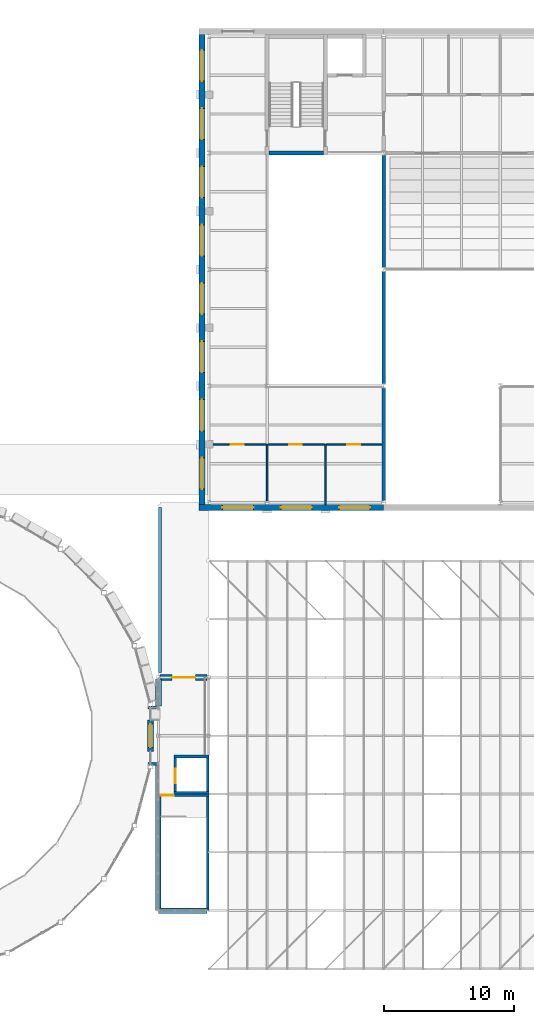
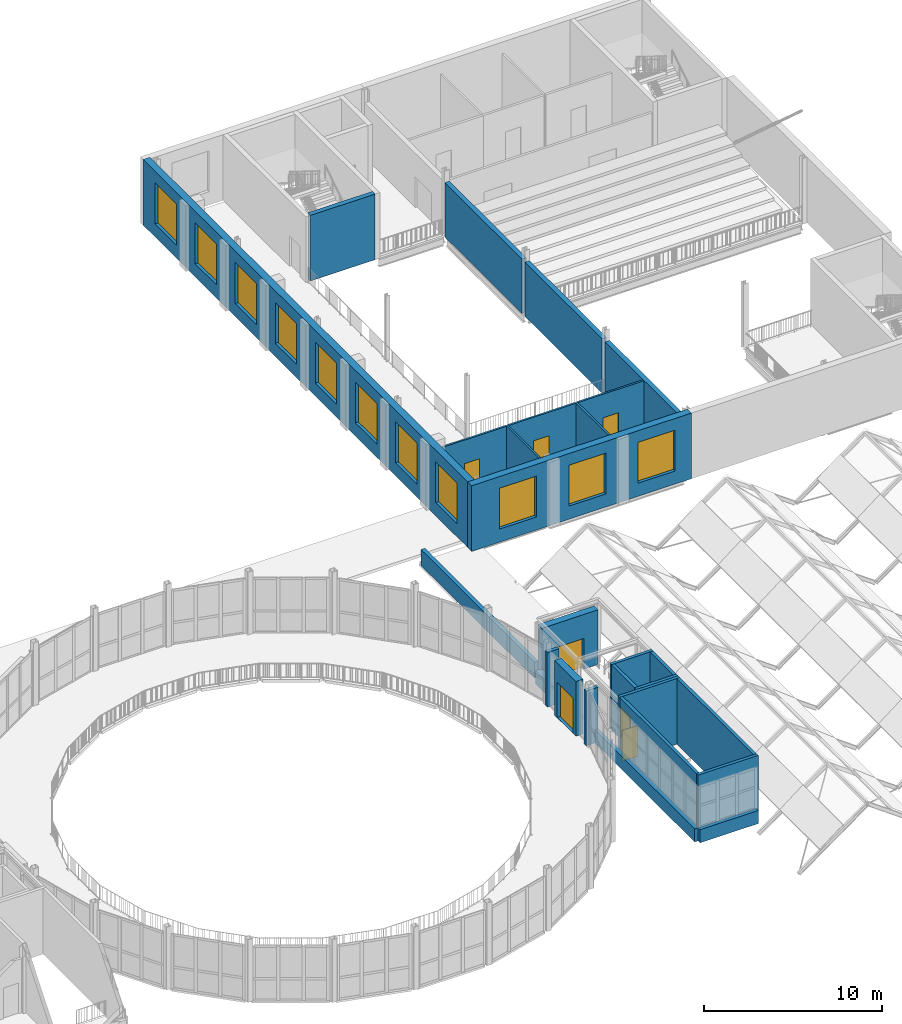
# One storey, part 44 of 74: 27 walls, 11 windows, 7 doors, 18 openings.
"""IFC4 building model written with IfcOpenShell, lengths in metres."""

from ifc_helpers import new_model, si_unit, direction, frame, frame_2d, origin, place, context, subcontext, project, spatial, rectangle, extrude, material, layer, layer_set, type_object, element, fill, save


model = new_model("IFC4")

# Units and contexts
model_context = context("Model", 3, precision=1e-05, world=origin(), true_north=direction((0.0, 1.0)))
body_context = subcontext(model_context, "Body", "Model", "MODEL_VIEW")
ifc_project = project(units=[si_unit("LENGTHUNIT", "METRE"), si_unit("AREAUNIT", "SQUARE_METRE"), si_unit("VOLUMEUNIT", "CUBIC_METRE"), si_unit("PLANEANGLEUNIT", "RADIAN"), si_unit("MASSUNIT", "GRAM", prefix="KILO")], contexts=[model_context])

# Site, building, storey
site_placement = place(None, origin())
site = spatial("IfcSite", under=ifc_project, at=site_placement, CompositionType="ELEMENT")
building_placement = place(site_placement, origin())
building = spatial("IfcBuilding", under=site, at=building_placement, Name="Hortulan Conservatory and Botanical Research Centre", CompositionType="ELEMENT")
storey_placement = place(building_placement, frame((0.0, 0.0, 6.0)))
storey = spatial("IfcBuildingStorey", under=building, at=storey_placement, Name="L01", CompositionType="ELEMENT", Elevation=6.0)

# Walls
ifc_material_1 = material(Name="Brick masonry with acoustic lining", Category="masonry")
ifc_layer_1 = layer(ifc_material_1, 0.300048828125)
ifc_layer_set_1 = layer_set([ifc_layer_1], Name="Acoustic Hall Wall 300")
wall_type_1 = type_object("IfcWallType", Name="Acoustic Hall Wall 300", PredefinedType="STANDARD", material=ifc_layer_set_1)
for number, where, z_axis, x_axis, name in (
    (1, (90.0, 36.17041015625, 0.0), (0.0, 0.0, 1.0), (0.0, 1.0, 0.0), "Auditorium hall wall L01 119"),
    (2, (90.0, 45.17041015625, 0.0), (0.0, 0.0, 1.0), (0.0, 1.0, 0.0), "Auditorium hall wall L01 120"),
    (3, (90.0, 54.17041015625, 0.0), (0.0, 0.0, 1.0), (0.0, 1.0, 0.0), "Auditorium hall wall L01 121"),
):
    element("IfcWall", number, at=place(storey_placement, frame(where, z_axis=z_axis, x_axis=x_axis)), inside=storey, type_object=wall_type_1, Name=name, PredefinedType="STANDARD", context=body_context, shape_type="SweptSolid", body=[
        extrude(rectangle(XDim=8.6591796875, YDim=0.300048828125, at=frame_2d((4.32958984375, 0.0))), origin(), (0.0, 0.0, 1.0), 3.718017578125),
    ])
ifc_material_2 = material(Name="Concrete N40 (40 MPa, AS 3600)", Category="concrete")
ifc_layer_2 = layer(ifc_material_2, 0.300048828125)
ifc_layer_set_2 = layer_set([ifc_layer_2], Name="Core Wall 300 N40 FRL 120/120/120")
wall_type_2 = type_object("IfcWallType", Name="Core Wall 300 N40 FRL 120/120/120", PredefinedType="SHEAR", material=ifc_layer_set_2)
wall_1_placement = place(storey_placement, frame((81.14990234375, 63.0, 0.0), z_axis=(0.0, 0.0, 1.0), x_axis=(1.0, 0.0, 0.0)))
element("IfcWall", 4, at=wall_1_placement, inside=storey, type_object=wall_type_2, Name="Reinforced concrete shaft wall", PredefinedType="SHEAR", context=body_context, shape_type="SweptSolid", body=[
    extrude(rectangle(XDim=4.2001953125, YDim=0.300048828125, at=frame_2d((2.10009765625, 0.0))), origin(), (0.0, 0.0, 1.0), 4.5),
])
ifc_layer_3 = layer(ifc_material_2, 0.199951171875)
ifc_layer_set_3 = layer_set([ifc_layer_3], Name="Head Link Shaft Wall 200")
wall_type_3 = type_object("IfcWallType", Name="Head Link Shaft Wall 200", PredefinedType="SHEAR", material=ifc_layer_set_3)
wall_2_placement = place(storey_placement, frame((72.60009765625, 4.60009765625, 0.0), z_axis=(0.0, 0.0, 1.0), x_axis=(1.0, 0.0, 0.0)))
element("IfcWall", 5, at=wall_2_placement, inside=storey, type_object=wall_type_3, Name="HE stair shaft south wall L01", PredefinedType="SHEAR", context=body_context, shape_type="SweptSolid", body=[
    extrude(rectangle(XDim=3.89990234375, YDim=0.199951171875, at=frame_2d((1.949951171875, 0.0))), origin(), (0.0, 0.0, 1.0), 4.5),
])

# Wall, opening, door
wall_3_placement = place(storey_placement, frame((72.60009765625, 13.39990234375, 0.0), z_axis=(0.0, 0.0, 1.0), x_axis=(1.0, 0.0, 0.0)))
wall_3 = element("IfcWall", 6, at=wall_3_placement, inside=storey, type_object=wall_type_3, Name="HE stair shaft north wall L01", PredefinedType="SHEAR", context=body_context, shape_type="SweptSolid", body=[
    extrude(rectangle(XDim=3.89990234375, YDim=0.199951171875, at=frame_2d((1.949951171875, 0.0))), origin(), (0.0, 0.0, 1.0), 4.5),
])
opening_1_placement = place(wall_3_placement, frame((0.199951171875, 0.0, 0.0)))
opening_1 = element("IfcOpeningElement", 7, at=opening_1_placement, cuts=wall_3, Name="Opening DT10", PredefinedType="OPENING", context=body_context, shape_type="SweptSolid", body=[
    extrude(rectangle(XDim=1.0, YDim=2.10009765625, at=frame_2d((0.5, 1.050048828125))), frame((0.0, 0.10986328125, 0.0), z_axis=(0.0, -1.0, 0.0), x_axis=(1.0, 0.0, 0.0)), (0.0, 0.0, 1.0), 0.219970703125),
])
ifc_material_3 = material(Name="Steel door leaf, insulated", Category="steel")
door_type_1 = type_object("IfcDoorType", Name="Stair Door 1000x2100 FRL -/120/30", OperationType="NOTDEFINED", PredefinedType="DOOR", material=ifc_material_3)
door_1_placement = place(opening_1_placement, frame((1.0, 0.0, 0.0), z_axis=(0.0, 0.0, 1.0), x_axis=(-1.0, 0.0, 0.0)))
door_1 = element("IfcDoor", 8, at=door_1_placement, inside=storey, type_object=door_type_1, Name="Stair door SHE L01 N to East Head Link Lobby", OperationType="SINGLE_SWING_RIGHT", OverallHeight=2.10009765625, OverallWidth=1.0, PredefinedType="DOOR", context=body_context, shape_type="SweptSolid", body=[
    extrude(rectangle(XDim=1.0, YDim=2.10009765625, at=frame_2d((0.5, 1.050048828125))), frame((0.0, 0.02490234375, 0.0), z_axis=(0.0, -1.0, 0.0), x_axis=(1.0, 0.0, 0.0)), (0.0, 0.0, 1.0), 0.050048828125),
])
fill(opening_1, door_1)

# Walls
for number, where, z_axis, x_axis, name in (
    (9, (72.699951171875, 4.699951171875, 0.0), (0.0, 0.0, 1.0), (0.0, 1.0, 0.0), "HE stair shaft west wall L01"),
    (10, (76.39990234375, 4.699951171875, 0.0), (0.0, 0.0, 1.0), (0.0, 1.0, 0.0), "HE stair shaft east wall L01"),
):
    element("IfcWall", number, at=place(storey_placement, frame(where, z_axis=z_axis, x_axis=x_axis)), inside=storey, type_object=wall_type_3, Name=name, PredefinedType="SHEAR", context=body_context, shape_type="SweptSolid", body=[
        extrude(rectangle(XDim=8.60009765625, YDim=0.199951171875, at=frame_2d((4.300048828125, 0.0))), origin(), (0.0, 0.0, 1.0), 4.5),
    ])
for number, where, z_axis, x_axis, name in (
    (11, (73.800048828125, 13.60009765625, 0.0), (0.0, 0.0, 1.0), (1.0, 0.0, 0.0), "HE lift shaft south wall L01"),
    (12, (73.800048828125, 16.39990234375, 0.0), (0.0, 0.0, 1.0), (1.0, 0.0, 0.0), "HE lift shaft north wall L01"),
):
    element("IfcWall", number, at=place(storey_placement, frame(where, z_axis=z_axis, x_axis=x_axis)), inside=storey, type_object=wall_type_3, Name=name, PredefinedType="SHEAR", context=body_context, shape_type="SweptSolid", body=[
        extrude(rectangle(XDim=2.699951171875, YDim=0.199951171875, at=frame_2d((1.35009765625, 0.0))), origin(), (0.0, 0.0, 1.0), 4.5),
    ])

# Wall, opening, door
wall_4_placement = place(storey_placement, frame((73.89990234375, 13.699951171875, 0.0), z_axis=(0.0, 0.0, 1.0), x_axis=(0.0, 1.0, 0.0)))
wall_4 = element("IfcWall", 13, at=wall_4_placement, inside=storey, type_object=wall_type_3, Name="HE lift shaft west wall L01", PredefinedType="SHEAR", context=body_context, shape_type="SweptSolid", body=[
    extrude(rectangle(XDim=2.60009765625, YDim=0.199951171875, at=frame_2d((1.300048828125, 0.0))), origin(), (0.0, 0.0, 1.0), 4.5),
])
opening_2_placement = place(wall_4_placement, frame((0.64990234375, 0.0, 0.0)))
opening_2 = element("IfcOpeningElement", 14, at=opening_2_placement, cuts=wall_4, Name="Opening LD1", PredefinedType="OPENING", context=body_context, shape_type="SweptSolid", body=[
    extrude(rectangle(XDim=1.10009765625, YDim=2.10009765625, at=frame_2d((0.550048828125, 1.050048828125))), frame((0.0, 0.10986328125, 0.0), z_axis=(0.0, -1.0, 0.0), x_axis=(1.0, 0.0, 0.0)), (0.0, 0.0, 1.0), 0.219970703125),
])
ifc_material_4 = material(Name="Stainless steel door leaves in steel frame", Category="steel")
door_type_2 = type_object("IfcDoorType", Name="Lift Landing Door 1100x2100", OperationType="DOUBLE_DOOR_SLIDING", PredefinedType="DOOR", material=ifc_material_4)
door_2_placement = place(opening_2_placement, origin())
door_2 = element("IfcDoor", 15, at=door_2_placement, inside=storey, type_object=door_type_2, Name="Lift LHE landing door L01", OperationType="DOUBLE_DOOR_SLIDING", OverallHeight=2.10009765625, OverallWidth=1.10009765625, PredefinedType="DOOR", context=body_context, shape_type="SweptSolid", body=[
    extrude(rectangle(XDim=1.10009765625, YDim=2.10009765625, at=frame_2d((0.550048828125, 1.050048828125))), frame((0.0, 0.02490234375, 0.0), z_axis=(0.0, -1.0, 0.0), x_axis=(1.0, 0.0, 0.0)), (0.0, 0.0, 1.0), 0.050048828125),
])
fill(opening_2, door_2)

# Walls
wall_5_placement = place(storey_placement, frame((76.39990234375, 13.699951171875, 0.0), z_axis=(0.0, 0.0, 1.0), x_axis=(0.0, 1.0, 0.0)))
element("IfcWall", 16, at=wall_5_placement, inside=storey, type_object=wall_type_3, Name="HE lift shaft east wall L01", PredefinedType="SHEAR", context=body_context, shape_type="SweptSolid", body=[
    extrude(rectangle(XDim=2.60009765625, YDim=0.199951171875, at=frame_2d((1.300048828125, 0.0))), origin(), (0.0, 0.0, 1.0), 4.5),
])
ifc_material_5 = material(Name="Plasterboard on steel studs", Category="steel")
ifc_layer_4 = layer(ifc_material_5, 0.125)
ifc_layer_set_4 = layer_set([ifc_layer_4], Name="Partition 125")
wall_type_4 = type_object("IfcWallType", Name="Partition 125", PredefinedType="PARTITIONING", material=ifc_layer_set_4)
wall_6_placement = place(storey_placement, frame((81.0, 36.139892578125, 0.0), z_axis=(0.0, 0.0, 1.0), x_axis=(0.0, 1.0, 0.0)))
element("IfcWall", 17, at=wall_6_placement, inside=storey, type_object=wall_type_4, Name="Partition Dressing Room 1 and Dressing Room 2 L01", PredefinedType="PARTITIONING", context=body_context, shape_type="SweptSolid", body=[
    extrude(rectangle(XDim=4.360107421875, YDim=0.125, at=frame_2d((2.18017578125, 0.0))), origin(), (0.0, 0.0, 1.0), 3.718017578125),
])
wall_7_placement = place(storey_placement, frame((85.5, 35.85546875, 0.0), z_axis=(0.0, 0.0, 1.0), x_axis=(0.0, 1.0, 0.0)))
element("IfcWall", 18, at=wall_7_placement, inside=storey, type_object=wall_type_4, Name="Partition Dressing Room 2 and Dressing Room 3 L01", PredefinedType="PARTITIONING", context=body_context, shape_type="SweptSolid", body=[
    extrude(rectangle(XDim=4.64453125, YDim=0.125, at=frame_2d((2.322265625, 0.0))), origin(), (0.0, 0.0, 1.0), 3.718017578125),
])

# Wall, opening, door
wall_8_placement = place(storey_placement, frame((76.81005859375, 40.5, 0.0), z_axis=(0.0, 0.0, 1.0), x_axis=(1.0, 0.0, 0.0)))
wall_8 = element("IfcWall", 19, at=wall_8_placement, inside=storey, type_object=wall_type_4, Name="Partition Back-of-House Corridor and Dressing Room 1 L01", PredefinedType="PARTITIONING", context=body_context, shape_type="SweptSolid", body=[
    extrude(rectangle(XDim=4.117431640625, YDim=0.125, at=frame_2d((2.05859375, 0.0))), origin(), (0.0, 0.0, 1.0), 3.718017578125),
])
opening_3_placement = place(wall_8_placement, frame((1.378173828125, 0.0, 0.0)))
opening_3 = element("IfcOpeningElement", 20, at=opening_3_placement, cuts=wall_8, Name="Opening DT1", PredefinedType="OPENING", context=body_context, shape_type="SweptSolid", body=[
    extrude(rectangle(XDim=1.0, YDim=2.10009765625, at=frame_2d((0.5, 1.050048828125))), frame((0.0, 0.072509765625, 0.0), z_axis=(0.0, -1.0, 0.0), x_axis=(1.0, 0.0, 0.0)), (0.0, 0.0, 1.0), 0.14501953125),
])
ifc_material_6 = material(Name="Timber door leaf in timber frame", Category="wood")
door_type_3 = type_object("IfcDoorType", Name="Single Door 1000x2100", OperationType="NOTDEFINED", PredefinedType="DOOR", material=ifc_material_6)
door_3_placement = place(opening_3_placement, frame((1.0, 0.0, 0.0), z_axis=(0.0, 0.0, 1.0), x_axis=(-1.0, 0.0, 0.0)))
door_3 = element("IfcDoor", 21, at=door_3_placement, inside=storey, type_object=door_type_3, Name="Door DT1 Dressing Room 1 to Back-of-House Corridor", OperationType="SINGLE_SWING_RIGHT", OverallHeight=2.10009765625, OverallWidth=1.0, PredefinedType="DOOR", context=body_context, shape_type="SweptSolid", body=[
    extrude(rectangle(XDim=1.0, YDim=2.10009765625, at=frame_2d((0.5, 1.050048828125))), frame((0.0, 0.02490234375, 0.0), z_axis=(0.0, -1.0, 0.0), x_axis=(1.0, 0.0, 0.0)), (0.0, 0.0, 1.0), 0.050048828125),
])
fill(opening_3, door_3)

wall_9_placement = place(storey_placement, frame((81.072509765625, 40.5, 0.0), z_axis=(0.0, 0.0, 1.0), x_axis=(1.0, 0.0, 0.0)))
wall_9 = element("IfcWall", 22, at=wall_9_placement, inside=storey, type_object=wall_type_4, Name="Partition Back-of-House Corridor and Dressing Room 2 L01", PredefinedType="PARTITIONING", context=body_context, shape_type="SweptSolid", body=[
    extrude(rectangle(XDim=4.35498046875, YDim=0.125, at=frame_2d((2.177490234375, 0.0))), origin(), (0.0, 0.0, 1.0), 3.718017578125),
])
opening_4_placement = place(wall_9_placement, frame((1.615478515625, 0.0, 0.0)))
opening_4 = element("IfcOpeningElement", 23, at=opening_4_placement, cuts=wall_9, Name="Opening DT1", PredefinedType="OPENING", context=body_context, shape_type="SweptSolid", body=[
    extrude(rectangle(XDim=1.0, YDim=2.10009765625, at=frame_2d((0.5, 1.050048828125))), frame((0.0, 0.072509765625, 0.0), z_axis=(0.0, -1.0, 0.0), x_axis=(1.0, 0.0, 0.0)), (0.0, 0.0, 1.0), 0.14501953125),
])
door_4_placement = place(opening_4_placement, frame((1.0, 0.0, 0.0), z_axis=(0.0, 0.0, 1.0), x_axis=(-1.0, 0.0, 0.0)))
door_4 = element("IfcDoor", 24, at=door_4_placement, inside=storey, type_object=door_type_3, Name="Door DT1 Dressing Room 2 to Back-of-House Corridor", OperationType="SINGLE_SWING_RIGHT", OverallHeight=2.10009765625, OverallWidth=1.0, PredefinedType="DOOR", context=body_context, shape_type="SweptSolid", body=[
    extrude(rectangle(XDim=1.0, YDim=2.10009765625, at=frame_2d((0.5, 1.050048828125))), frame((0.0, 0.02490234375, 0.0), z_axis=(0.0, -1.0, 0.0), x_axis=(1.0, 0.0, 0.0)), (0.0, 0.0, 1.0), 0.050048828125),
])
fill(opening_4, door_4)

wall_10_placement = place(storey_placement, frame((85.572509765625, 40.5, 0.0), z_axis=(0.0, 0.0, 1.0), x_axis=(1.0, 0.0, 0.0)))
wall_10 = element("IfcWall", 25, at=wall_10_placement, inside=storey, type_object=wall_type_4, Name="Partition Back-of-House Corridor and Dressing Room 3 L01", PredefinedType="PARTITIONING", context=body_context, shape_type="SweptSolid", body=[
    extrude(rectangle(XDim=4.267578125, YDim=0.125, at=frame_2d((2.1337890625, 0.0))), origin(), (0.0, 0.0, 1.0), 3.718017578125),
])
opening_5_placement = place(wall_10_placement, frame((1.615478515625, 0.0, 0.0)))
opening_5 = element("IfcOpeningElement", 26, at=opening_5_placement, cuts=wall_10, Name="Opening DT1", PredefinedType="OPENING", context=body_context, shape_type="SweptSolid", body=[
    extrude(rectangle(XDim=1.0, YDim=2.10009765625, at=frame_2d((0.5, 1.050048828125))), frame((0.0, 0.072509765625, 0.0), z_axis=(0.0, -1.0, 0.0), x_axis=(1.0, 0.0, 0.0)), (0.0, 0.0, 1.0), 0.14501953125),
])
door_5_placement = place(opening_5_placement, frame((1.0, 0.0, 0.0), z_axis=(0.0, 0.0, 1.0), x_axis=(-1.0, 0.0, 0.0)))
door_5 = element("IfcDoor", 27, at=door_5_placement, inside=storey, type_object=door_type_3, Name="Door DT1 Dressing Room 3 to Back-of-House Corridor", OperationType="SINGLE_SWING_RIGHT", OverallHeight=2.10009765625, OverallWidth=1.0, PredefinedType="DOOR", context=body_context, shape_type="SweptSolid", body=[
    extrude(rectangle(XDim=1.0, YDim=2.10009765625, at=frame_2d((0.5, 1.050048828125))), frame((0.0, 0.02490234375, 0.0), z_axis=(0.0, -1.0, 0.0), x_axis=(1.0, 0.0, 0.0)), (0.0, 0.0, 1.0), 0.050048828125),
])
fill(opening_5, door_5)

# Walls
ifc_material_7 = material(Name="Sandstone masonry (Hawkesbury yellow block)", Category="masonry")
ifc_layer_5 = layer(ifc_material_7, 0.22509765625)
ifc_layer_set_5 = layer_set([ifc_layer_5], Name="Sandstone Masonry Cavity Wall 225")
wall_type_5 = type_object("IfcWallType", Name="Sandstone Masonry Cavity Wall 225", PredefinedType="STANDARD", material=ifc_layer_set_5)
wall_11_placement = place(storey_placement, frame((76.3701171875, 4.387451171875, 0.0), z_axis=(0.0, 0.0, 1.0), x_axis=(-1.0, 0.0, 0.0)))
element("IfcWall", 28, at=wall_11_placement, inside=storey, type_object=wall_type_5, Name="Plinth wall", PredefinedType="STANDARD", context=body_context, shape_type="SweptSolid", body=[
    extrude(rectangle(XDim=3.77001953125, YDim=0.22509765625, at=frame_2d((1.885009765625, 0.0))), origin(), (0.0, 0.0, 1.0), 0.89990234375),
])
wall_12_placement = place(storey_placement, frame((72.487548828125, 4.5, 0.0), z_axis=(0.0, 0.0, 1.0), x_axis=(0.0, 1.0, 0.0)))
element("IfcWall", 29, at=wall_12_placement, inside=storey, type_object=wall_type_5, Name="Plinth wall", PredefinedType="STANDARD", context=body_context, shape_type="SweptSolid", body=[
    extrude(rectangle(XDim=11.205322265625, YDim=0.22509765625, at=frame_2d((5.6025390625, 0.0))), origin(), (0.0, 0.0, 1.0), 0.89990234375),
])
for number, where, z_axis, x_axis, name in (
    (30, (71.804931640625, 15.81787109375, 0.0), (0.0, 0.0, 1.0), (1.0, 0.0, 0.0), "Niche return wall"),
    (31, (71.804931640625, 20.18212890625, 0.0), (0.0, 0.0, 1.0), (1.0, 0.0, 0.0), "Niche return wall"),
):
    element("IfcWall", number, at=place(storey_placement, frame(where, z_axis=z_axis, x_axis=x_axis)), inside=storey, type_object=wall_type_5, Name=name, PredefinedType="STANDARD", context=body_context, shape_type="SweptSolid", body=[
        extrude(rectangle(XDim=0.77001953125, YDim=0.22509765625, at=frame_2d((0.385009765625, 0.0))), origin(), (0.0, 0.0, 1.0), 3.739990234375),
    ])

# Wall, openings, windows
ifc_layer_6 = layer(ifc_material_7, 0.449951171875)
ifc_layer_set_6 = layer_set([ifc_layer_6], Name="Sandstone Masonry Cavity Wall 450")
wall_type_6 = type_object("IfcWallType", Name="Sandstone Masonry Cavity Wall 450", PredefinedType="STANDARD", material=ifc_layer_set_6)
wall_13_placement = place(storey_placement, frame((90.0, 35.62060546875, 0.0), z_axis=(0.0, 0.0, 1.0), x_axis=(-1.0, 0.0, 0.0)))
wall_13 = element("IfcWall", 32, at=wall_13_placement, inside=storey, type_object=wall_type_6, Name="E-EW-AUD-L01-FS1", PredefinedType="STANDARD", context=body_context, shape_type="SweptSolid", body=[
    extrude(rectangle(XDim=14.25, YDim=0.449951171875, at=frame_2d((7.125, 0.0))), origin(), (0.0, 0.0, 1.0), 4.5),
])
opening_6_placement = place(wall_13_placement, frame((10.050048828125, 0.0, 0.89990234375)))
opening_6 = element("IfcOpeningElement", 33, at=opening_6_placement, cuts=wall_13, Name="Opening W2", PredefinedType="OPENING", context=body_context, shape_type="SweptSolid", body=[
    extrude(rectangle(XDim=2.39990234375, YDim=2.800048828125, at=frame_2d((1.199951171875, 1.39990234375))), frame((0.0, 0.23486328125, 0.0), z_axis=(0.0, -1.0, 0.0), x_axis=(1.0, 0.0, 0.0)), (0.0, 0.0, 1.0), 0.469970703125),
])
opening_7_placement = place(wall_13_placement, frame((5.550048828125, 0.0, 0.89990234375)))
opening_7 = element("IfcOpeningElement", 34, at=opening_7_placement, cuts=wall_13, Name="Opening W2", PredefinedType="OPENING", context=body_context, shape_type="SweptSolid", body=[
    extrude(rectangle(XDim=2.39990234375, YDim=2.800048828125, at=frame_2d((1.199951171875, 1.39990234375))), frame((0.0, 0.23486328125, 0.0), z_axis=(0.0, -1.0, 0.0), x_axis=(1.0, 0.0, 0.0)), (0.0, 0.0, 1.0), 0.469970703125),
])
opening_8_placement = place(wall_13_placement, frame((1.050048828125, 0.0, 0.89990234375)))
opening_8 = element("IfcOpeningElement", 35, at=opening_8_placement, cuts=wall_13, Name="Opening W2", PredefinedType="OPENING", context=body_context, shape_type="SweptSolid", body=[
    extrude(rectangle(XDim=2.39990234375, YDim=2.800048828125, at=frame_2d((1.199951171875, 1.39990234375))), frame((0.0, 0.23486328125, 0.0), z_axis=(0.0, -1.0, 0.0), x_axis=(1.0, 0.0, 0.0)), (0.0, 0.0, 1.0), 0.469970703125),
])
ifc_material_8 = material(Name="Bronze-finished aluminium frame with low-e laminated double glazing", Category="aluminium")
window_type = type_object("IfcWindowType", Name="Sandstone Window 2400x2800", PartitioningType="SINGLE_PANEL", PredefinedType="WINDOW", material=ifc_material_8)
window_1_placement = place(opening_6_placement, origin())
window_1 = element("IfcWindow", 36, at=window_1_placement, inside=storey, type_object=window_type, Name="Sandstone window", OverallHeight=2.800048828125, OverallWidth=2.39990234375, PartitioningType="SINGLE_PANEL", PredefinedType="WINDOW", context=body_context, shape_type="SweptSolid", body=[
    extrude(rectangle(XDim=2.39990234375, YDim=2.800048828125, at=frame_2d((1.199951171875, 1.39990234375))), frame((0.0, 0.030029296875, 0.0), z_axis=(0.0, -1.0, 0.0), x_axis=(1.0, 0.0, 0.0)), (0.0, 0.0, 1.0), 0.06005859375),
])
fill(opening_6, window_1)
window_2_placement = place(opening_7_placement, origin())
window_2 = element("IfcWindow", 37, at=window_2_placement, inside=storey, type_object=window_type, Name="Sandstone window", OverallHeight=2.800048828125, OverallWidth=2.39990234375, PartitioningType="SINGLE_PANEL", PredefinedType="WINDOW", context=body_context, shape_type="SweptSolid", body=[
    extrude(rectangle(XDim=2.39990234375, YDim=2.800048828125, at=frame_2d((1.199951171875, 1.39990234375))), frame((0.0, 0.030029296875, 0.0), z_axis=(0.0, -1.0, 0.0), x_axis=(1.0, 0.0, 0.0)), (0.0, 0.0, 1.0), 0.06005859375),
])
fill(opening_7, window_2)
window_3_placement = place(opening_8_placement, origin())
window_3 = element("IfcWindow", 38, at=window_3_placement, inside=storey, type_object=window_type, Name="Sandstone window", OverallHeight=2.800048828125, OverallWidth=2.39990234375, PartitioningType="SINGLE_PANEL", PredefinedType="WINDOW", context=body_context, shape_type="SweptSolid", body=[
    extrude(rectangle(XDim=2.39990234375, YDim=2.800048828125, at=frame_2d((1.199951171875, 1.39990234375))), frame((0.0, 0.030029296875, 0.0), z_axis=(0.0, -1.0, 0.0), x_axis=(1.0, 0.0, 0.0)), (0.0, 0.0, 1.0), 0.06005859375),
])
fill(opening_8, window_3)

wall_14_placement = place(storey_placement, frame((75.97509765625, 35.699951171875, 0.0), z_axis=(0.0, 0.0, 1.0), x_axis=(0.0, 1.0, 0.0)))
wall_14 = element("IfcWall", 39, at=wall_14_placement, inside=storey, type_object=wall_type_6, Name="E-EW-AUD-L01-FW2", PredefinedType="STANDARD", context=body_context, shape_type="SweptSolid", body=[
    extrude(rectangle(XDim=36.60009765625, YDim=0.449951171875, at=frame_2d((18.300048828125, 0.0))), origin(), (0.0, 0.0, 1.0), 4.5),
])
opening_9_placement = place(wall_14_placement, frame((1.35009765625, 0.0, 0.89990234375)))
opening_9 = element("IfcOpeningElement", 40, at=opening_9_placement, cuts=wall_14, Name="Opening W2", PredefinedType="OPENING", context=body_context, shape_type="SweptSolid", body=[
    extrude(rectangle(XDim=2.39990234375, YDim=2.800048828125, at=frame_2d((1.199951171875, 1.39990234375))), frame((0.0, 0.23486328125, 0.0), z_axis=(0.0, -1.0, 0.0), x_axis=(1.0, 0.0, 0.0)), (0.0, 0.0, 1.0), 0.469970703125),
])
opening_10_placement = place(wall_14_placement, frame((5.85009765625, 0.0, 0.89990234375)))
opening_10 = element("IfcOpeningElement", 41, at=opening_10_placement, cuts=wall_14, Name="Opening W2", PredefinedType="OPENING", context=body_context, shape_type="SweptSolid", body=[
    extrude(rectangle(XDim=2.39990234375, YDim=2.800048828125, at=frame_2d((1.199951171875, 1.39990234375))), frame((0.0, 0.23486328125, 0.0), z_axis=(0.0, -1.0, 0.0), x_axis=(1.0, 0.0, 0.0)), (0.0, 0.0, 1.0), 0.469970703125),
])
opening_11_placement = place(wall_14_placement, frame((10.35009765625, 0.0, 0.89990234375)))
opening_11 = element("IfcOpeningElement", 42, at=opening_11_placement, cuts=wall_14, Name="Opening W2", PredefinedType="OPENING", context=body_context, shape_type="SweptSolid", body=[
    extrude(rectangle(XDim=2.39990234375, YDim=2.800048828125, at=frame_2d((1.199951171875, 1.39990234375))), frame((0.0, 0.23486328125, 0.0), z_axis=(0.0, -1.0, 0.0), x_axis=(1.0, 0.0, 0.0)), (0.0, 0.0, 1.0), 0.469970703125),
])
opening_12_placement = place(wall_14_placement, frame((14.85009765625, 0.0, 0.89990234375)))
opening_12 = element("IfcOpeningElement", 43, at=opening_12_placement, cuts=wall_14, Name="Opening W2", PredefinedType="OPENING", context=body_context, shape_type="SweptSolid", body=[
    extrude(rectangle(XDim=2.39990234375, YDim=2.800048828125, at=frame_2d((1.199951171875, 1.39990234375))), frame((0.0, 0.23486328125, 0.0), z_axis=(0.0, -1.0, 0.0), x_axis=(1.0, 0.0, 0.0)), (0.0, 0.0, 1.0), 0.469970703125),
])
opening_13_placement = place(wall_14_placement, frame((19.35009765625, 0.0, 0.89990234375)))
opening_13 = element("IfcOpeningElement", 44, at=opening_13_placement, cuts=wall_14, Name="Opening W2", PredefinedType="OPENING", context=body_context, shape_type="SweptSolid", body=[
    extrude(rectangle(XDim=2.39990234375, YDim=2.800048828125, at=frame_2d((1.199951171875, 1.39990234375))), frame((0.0, 0.23486328125, 0.0), z_axis=(0.0, -1.0, 0.0), x_axis=(1.0, 0.0, 0.0)), (0.0, 0.0, 1.0), 0.469970703125),
])
opening_14_placement = place(wall_14_placement, frame((23.85009765625, 0.0, 0.89990234375)))
opening_14 = element("IfcOpeningElement", 45, at=opening_14_placement, cuts=wall_14, Name="Opening W2", PredefinedType="OPENING", context=body_context, shape_type="SweptSolid", body=[
    extrude(rectangle(XDim=2.39990234375, YDim=2.800048828125, at=frame_2d((1.199951171875, 1.39990234375))), frame((0.0, 0.23486328125, 0.0), z_axis=(0.0, -1.0, 0.0), x_axis=(1.0, 0.0, 0.0)), (0.0, 0.0, 1.0), 0.469970703125),
])
opening_15_placement = place(wall_14_placement, frame((28.35009765625, 0.0, 0.89990234375)))
opening_15 = element("IfcOpeningElement", 46, at=opening_15_placement, cuts=wall_14, Name="Opening W2", PredefinedType="OPENING", context=body_context, shape_type="SweptSolid", body=[
    extrude(rectangle(XDim=2.39990234375, YDim=2.800048828125, at=frame_2d((1.199951171875, 1.39990234375))), frame((0.0, 0.23486328125, 0.0), z_axis=(0.0, -1.0, 0.0), x_axis=(1.0, 0.0, 0.0)), (0.0, 0.0, 1.0), 0.469970703125),
])
opening_16_placement = place(wall_14_placement, frame((32.85009765625, 0.0, 0.89990234375)))
opening_16 = element("IfcOpeningElement", 47, at=opening_16_placement, cuts=wall_14, Name="Opening W2", PredefinedType="OPENING", context=body_context, shape_type="SweptSolid", body=[
    extrude(rectangle(XDim=2.39990234375, YDim=2.800048828125, at=frame_2d((1.199951171875, 1.39990234375))), frame((0.0, 0.23486328125, 0.0), z_axis=(0.0, -1.0, 0.0), x_axis=(1.0, 0.0, 0.0)), (0.0, 0.0, 1.0), 0.469970703125),
])
window_4_placement = place(opening_9_placement, origin())
window_4 = element("IfcWindow", 48, at=window_4_placement, inside=storey, type_object=window_type, Name="Sandstone window", OverallHeight=2.800048828125, OverallWidth=2.39990234375, PartitioningType="SINGLE_PANEL", PredefinedType="WINDOW", context=body_context, shape_type="SweptSolid", body=[
    extrude(rectangle(XDim=2.39990234375, YDim=2.800048828125, at=frame_2d((1.199951171875, 1.39990234375))), frame((0.0, 0.030029296875, 0.0), z_axis=(0.0, -1.0, 0.0), x_axis=(1.0, 0.0, 0.0)), (0.0, 0.0, 1.0), 0.06005859375),
])
fill(opening_9, window_4)
window_5_placement = place(opening_10_placement, origin())
window_5 = element("IfcWindow", 49, at=window_5_placement, inside=storey, type_object=window_type, Name="Sandstone window", OverallHeight=2.800048828125, OverallWidth=2.39990234375, PartitioningType="SINGLE_PANEL", PredefinedType="WINDOW", context=body_context, shape_type="SweptSolid", body=[
    extrude(rectangle(XDim=2.39990234375, YDim=2.800048828125, at=frame_2d((1.199951171875, 1.39990234375))), frame((0.0, 0.030029296875, 0.0), z_axis=(0.0, -1.0, 0.0), x_axis=(1.0, 0.0, 0.0)), (0.0, 0.0, 1.0), 0.06005859375),
])
fill(opening_10, window_5)
window_6_placement = place(opening_11_placement, origin())
window_6 = element("IfcWindow", 50, at=window_6_placement, inside=storey, type_object=window_type, Name="Sandstone window", OverallHeight=2.800048828125, OverallWidth=2.39990234375, PartitioningType="SINGLE_PANEL", PredefinedType="WINDOW", context=body_context, shape_type="SweptSolid", body=[
    extrude(rectangle(XDim=2.39990234375, YDim=2.800048828125, at=frame_2d((1.199951171875, 1.39990234375))), frame((0.0, 0.030029296875, 0.0), z_axis=(0.0, -1.0, 0.0), x_axis=(1.0, 0.0, 0.0)), (0.0, 0.0, 1.0), 0.06005859375),
])
fill(opening_11, window_6)
window_7_placement = place(opening_12_placement, origin())
window_7 = element("IfcWindow", 51, at=window_7_placement, inside=storey, type_object=window_type, Name="Sandstone window", OverallHeight=2.800048828125, OverallWidth=2.39990234375, PartitioningType="SINGLE_PANEL", PredefinedType="WINDOW", context=body_context, shape_type="SweptSolid", body=[
    extrude(rectangle(XDim=2.39990234375, YDim=2.800048828125, at=frame_2d((1.199951171875, 1.39990234375))), frame((0.0, 0.030029296875, 0.0), z_axis=(0.0, -1.0, 0.0), x_axis=(1.0, 0.0, 0.0)), (0.0, 0.0, 1.0), 0.06005859375),
])
fill(opening_12, window_7)
window_8_placement = place(opening_13_placement, origin())
window_8 = element("IfcWindow", 52, at=window_8_placement, inside=storey, type_object=window_type, Name="Sandstone window", OverallHeight=2.800048828125, OverallWidth=2.39990234375, PartitioningType="SINGLE_PANEL", PredefinedType="WINDOW", context=body_context, shape_type="SweptSolid", body=[
    extrude(rectangle(XDim=2.39990234375, YDim=2.800048828125, at=frame_2d((1.199951171875, 1.39990234375))), frame((0.0, 0.030029296875, 0.0), z_axis=(0.0, -1.0, 0.0), x_axis=(1.0, 0.0, 0.0)), (0.0, 0.0, 1.0), 0.06005859375),
])
fill(opening_13, window_8)
window_9_placement = place(opening_14_placement, origin())
window_9 = element("IfcWindow", 53, at=window_9_placement, inside=storey, type_object=window_type, Name="Sandstone window", OverallHeight=2.800048828125, OverallWidth=2.39990234375, PartitioningType="SINGLE_PANEL", PredefinedType="WINDOW", context=body_context, shape_type="SweptSolid", body=[
    extrude(rectangle(XDim=2.39990234375, YDim=2.800048828125, at=frame_2d((1.199951171875, 1.39990234375))), frame((0.0, 0.030029296875, 0.0), z_axis=(0.0, -1.0, 0.0), x_axis=(1.0, 0.0, 0.0)), (0.0, 0.0, 1.0), 0.06005859375),
])
fill(opening_14, window_9)
window_10_placement = place(opening_15_placement, origin())
window_10 = element("IfcWindow", 54, at=window_10_placement, inside=storey, type_object=window_type, Name="Sandstone window", OverallHeight=2.800048828125, OverallWidth=2.39990234375, PartitioningType="SINGLE_PANEL", PredefinedType="WINDOW", context=body_context, shape_type="SweptSolid", body=[
    extrude(rectangle(XDim=2.39990234375, YDim=2.800048828125, at=frame_2d((1.199951171875, 1.39990234375))), frame((0.0, 0.030029296875, 0.0), z_axis=(0.0, -1.0, 0.0), x_axis=(1.0, 0.0, 0.0)), (0.0, 0.0, 1.0), 0.06005859375),
])
fill(opening_15, window_10)
window_11_placement = place(opening_16_placement, origin())
window_11 = element("IfcWindow", 55, at=window_11_placement, inside=storey, type_object=window_type, Name="Sandstone window", OverallHeight=2.800048828125, OverallWidth=2.39990234375, PartitioningType="SINGLE_PANEL", PredefinedType="WINDOW", context=body_context, shape_type="SweptSolid", body=[
    extrude(rectangle(XDim=2.39990234375, YDim=2.800048828125, at=frame_2d((1.199951171875, 1.39990234375))), frame((0.0, 0.030029296875, 0.0), z_axis=(0.0, -1.0, 0.0), x_axis=(1.0, 0.0, 0.0)), (0.0, 0.0, 1.0), 0.06005859375),
])
fill(opening_16, window_11)

# Wall, opening, door
wall_15_placement = place(storey_placement, frame((72.0, 19.199951171875, 0.0), z_axis=(0.0, 0.0, 1.0), x_axis=(0.0, -1.0, 0.0)))
wall_15 = element("IfcWall", 56, at=wall_15_placement, inside=storey, type_object=wall_type_6, Name="Door bay wall", PredefinedType="STANDARD", context=body_context, shape_type="SweptSolid", body=[
    extrude(rectangle(XDim=2.39990234375, YDim=0.449951171875, at=frame_2d((1.199951171875, 0.0))), origin(), (0.0, 0.0, 1.0), 3.75),
])
opening_17_placement = place(wall_15_placement, frame((0.300048828125, 0.0, 0.011962890625)))
opening_17 = element("IfcOpeningElement", 57, at=opening_17_placement, cuts=wall_15, Name="Opening ED8", PredefinedType="OPENING", context=body_context, shape_type="SweptSolid", body=[
    extrude(rectangle(XDim=1.800048828125, YDim=2.39990234375, at=frame_2d((0.89990234375, 1.199951171875))), frame((0.0, 0.23486328125, 0.0), z_axis=(0.0, -1.0, 0.0), x_axis=(1.0, 0.0, 0.0)), (0.0, 0.0, 1.0), 0.469970703125),
])
ifc_material_9 = material(Name="Bronze and toughened laminated glass", Category="glass")
door_type_4 = type_object("IfcDoorType", Name="Sliding Glazed Door Pair 1800x2400", OperationType="DOUBLE_DOOR_SLIDING", PredefinedType="DOOR", material=ifc_material_9)
door_6_placement = place(opening_17_placement, origin())
door_6 = element("IfcDoor", 58, at=door_6_placement, inside=storey, type_object=door_type_4, Name="Link door", OperationType="DOUBLE_DOOR_SLIDING", OverallHeight=2.39990234375, OverallWidth=1.800048828125, PredefinedType="DOOR", context=body_context, shape_type="SweptSolid", body=[
    extrude(rectangle(XDim=1.800048828125, YDim=2.39990234375, at=frame_2d((0.89990234375, 1.199951171875))), frame((0.0, 0.02490234375, 0.0), z_axis=(0.0, -1.0, 0.0), x_axis=(1.0, 0.0, 0.0)), (0.0, 0.0, 1.0), 0.050048828125),
])
fill(opening_17, door_6)

# Wall
wall_16_placement = place(storey_placement, frame((72.60009765625, 20.294677734375, 0.0), z_axis=(0.0, 0.0, 1.0), x_axis=(0.0, 1.0, 0.0)))
element("IfcWall", 59, at=wall_16_placement, inside=storey, type_object=wall_type_6, Name="Plinth wall", PredefinedType="STANDARD", context=body_context, shape_type="SweptSolid", body=[
    extrude(rectangle(XDim=2.077392578125, YDim=0.449951171875, at=frame_2d((1.03857421875, 0.0))), origin(), (0.0, 0.0, 1.0), 0.89990234375),
])

# Wall, opening, door
wall_17_placement = place(storey_placement, frame((72.72802734375, 22.5, 0.0), z_axis=(0.0, 0.0, 1.0), x_axis=(1.0, 0.0, 0.0)))
wall_17 = element("IfcWall", 60, at=wall_17_placement, inside=storey, type_object=wall_type_6, Name="Lobby north wall", PredefinedType="STANDARD", context=body_context, shape_type="SweptSolid", body=[
    extrude(rectangle(XDim=3.64404296875, YDim=0.449951171875, at=frame_2d((1.822021484375, 0.0))), origin(), (0.0, 0.0, 1.0), 3.739990234375),
])
opening_18_placement = place(wall_17_placement, frame((0.922119140625, 0.0, 0.0)))
opening_18 = element("IfcOpeningElement", 61, at=opening_18_placement, cuts=wall_17, Name="Opening DT8", PredefinedType="OPENING", context=body_context, shape_type="SweptSolid", body=[
    extrude(rectangle(XDim=1.800048828125, YDim=2.10009765625, at=frame_2d((0.89990234375, 1.050048828125))), frame((0.0, 0.23486328125, 0.0), z_axis=(0.0, -1.0, 0.0), x_axis=(1.0, 0.0, 0.0)), (0.0, 0.0, 1.0), 0.469970703125),
])
door_type_5 = type_object("IfcDoorType", Name="Lobby Double Door 1800x2100 FRL -/60/30", OperationType="DOUBLE_DOOR_SINGLE_SWING", PredefinedType="DOOR", material=ifc_material_3)
door_7_placement = place(opening_18_placement, origin())
door_7 = element("IfcDoor", 62, at=door_7_placement, inside=storey, type_object=door_type_5, Name="Door DT8 East Head Link Lobby to Head Link Passage Deck", OperationType="DOUBLE_DOOR_SINGLE_SWING", OverallHeight=2.10009765625, OverallWidth=1.800048828125, PredefinedType="DOOR", context=body_context, shape_type="SweptSolid", body=[
    extrude(rectangle(XDim=1.800048828125, YDim=2.10009765625, at=frame_2d((0.89990234375, 1.050048828125))), frame((0.0, 0.02490234375, 0.0), z_axis=(0.0, -1.0, 0.0), x_axis=(1.0, 0.0, 0.0)), (0.0, 0.0, 1.0), 0.050048828125),
])
fill(opening_18, door_7)

# Wall
ifc_layer_7 = layer(ifc_material_7, 0.25)
ifc_layer_set_7 = layer_set([ifc_layer_7], Name="Sandstone Roof Parapet 250")
wall_type_7 = type_object("IfcWallType", Name="Sandstone Roof Parapet 250", PredefinedType="PARAPET", material=ifc_layer_set_7)
wall_18_placement = place(storey_placement, frame((72.72509765625, 22.885009765625, 0.0), z_axis=(0.0, 0.0, 1.0), x_axis=(0.0, 1.0, 0.0)))
element("IfcWall", 63, at=wall_18_placement, inside=storey, type_object=wall_type_7, Name="Roof parapet", PredefinedType="PARAPET", context=body_context, shape_type="SweptSolid", body=[
    extrude(rectangle(XDim=12.72998046875, YDim=0.25, at=frame_2d((6.364990234375, 0.0))), origin(), (0.0, 0.0, 1.0), 1.10009765625),
])

save(model, "model.ifc")
